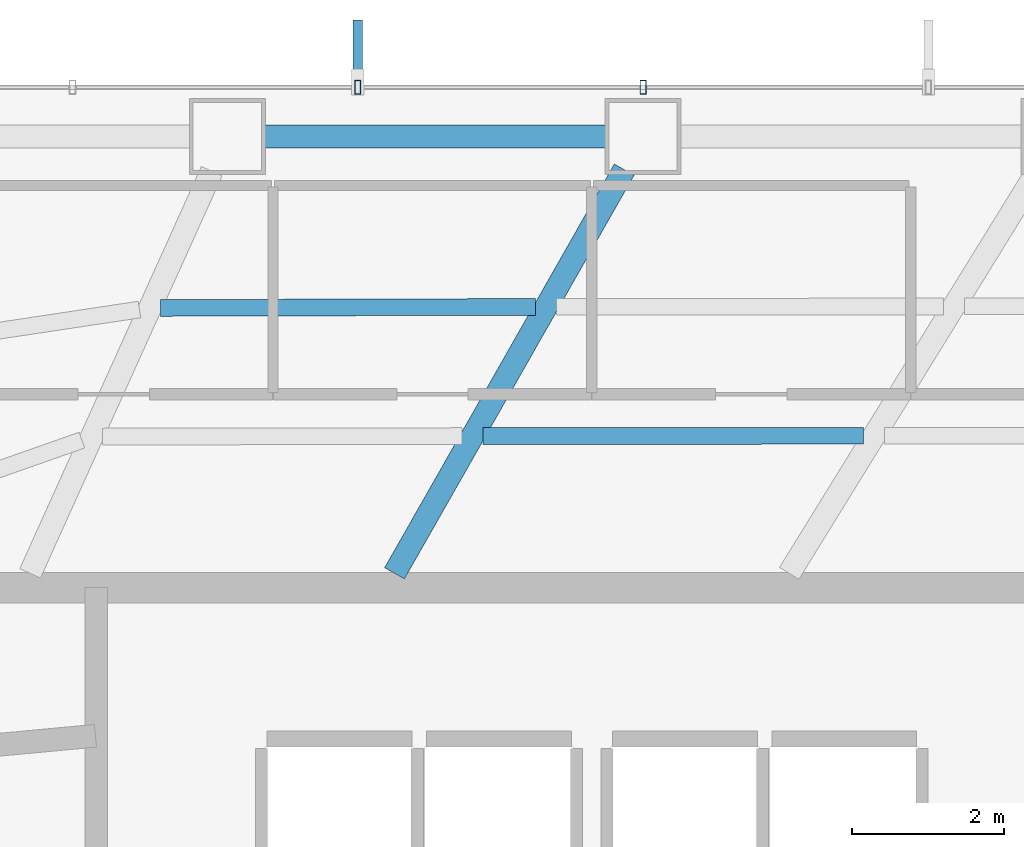
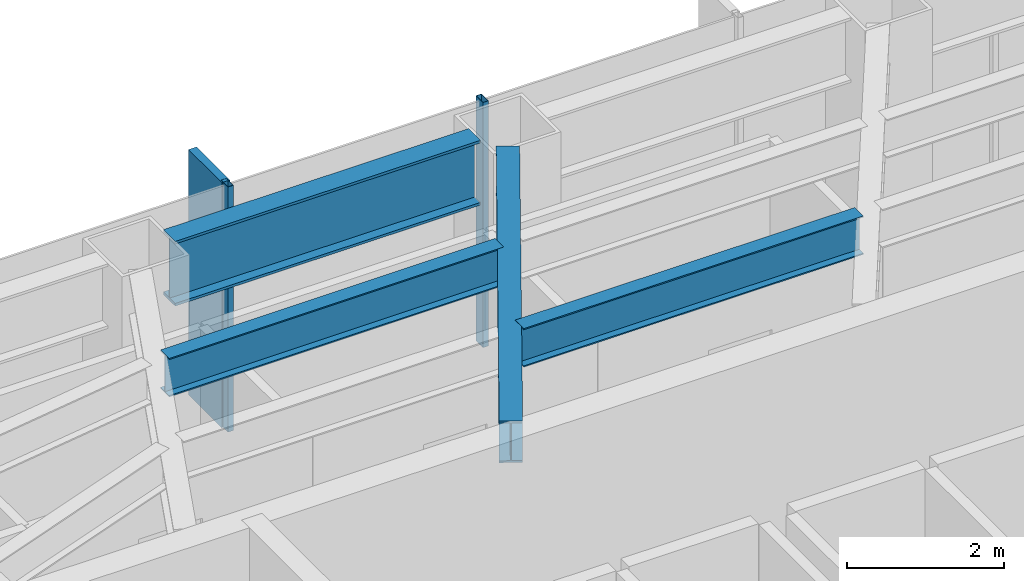
# One storey, part 13 of 25: 4 beams, 3 members, 1 element without a shape of its own.
"""IFC4 building model written with IfcOpenShell, lengths in metres."""

from ifc_helpers import new_model, si_unit, direction, frame, origin, origin_2d, place, context, subcontext, project, spatial, rectangle, hollow_rectangle, i_section, extrude, material, layer, layer_set, material_profile, profile_set, type_object, element, aggregate, save


model = new_model("IFC4")

# Units and contexts
model_context = context("Model", 3, precision=1e-05, world=origin(), true_north=direction((0.0, 1.0)))
body_context = subcontext(model_context, "Body", "Model", "MODEL_VIEW")
ifc_project = project(units=[si_unit("LENGTHUNIT", "METRE"), si_unit("AREAUNIT", "SQUARE_METRE"), si_unit("VOLUMEUNIT", "CUBIC_METRE"), si_unit("PLANEANGLEUNIT", "RADIAN"), si_unit("MASSUNIT", "GRAM", prefix="KILO")], contexts=[model_context])

# Site, building, storey
site_placement = place(None, origin())
site = spatial("IfcSite", under=ifc_project, at=site_placement, CompositionType="ELEMENT")
building_placement = place(site_placement, origin())
building = spatial("IfcBuilding", under=site, at=building_placement, Name="Zarrinselat Tower", CompositionType="ELEMENT")
storey_placement = place(building_placement, frame((0.0, 0.0, 39.780029296875)))
storey = spatial("IfcBuildingStorey", under=building, at=storey_placement, Name="L09", CompositionType="ELEMENT", Elevation=39.780029296875)

# Beams
ifc_material_1 = material(Name="Steel S355J2", Category="steel")
ifc_material_profile_1 = material_profile(ifc_material_1, i_section(OverallWidth=0.300048828125, OverallDepth=0.64990234375, WebThickness=0.01611328125, FlangeThickness=0.031005859375, at=origin_2d()), Name="HEB 650")
ifc_profile_set_1 = profile_set([ifc_material_profile_1], Name="Steel S355J2")
beam_type_1 = type_object("IfcBeamType", Name="BM-HEB650", PredefinedType="BEAM", material=ifc_profile_set_1)
beam_1_placement = place(storey_placement, frame((35.800048828125, 43.639892578125, 3.494873046875), z_axis=(0.494531005412, 0.869159987969, 0.0), x_axis=(-0.869159987969, 0.494531005412, 0.0)))
element("IfcBeam", 1, at=beam_1_placement, inside=storey, type_object=beam_type_1, Name="L09 Radial Primary Girder RG03", PredefinedType="BEAM", context=body_context, shape_type="SweptSolid", body=[
    extrude(i_section(OverallWidth=0.300048828125, OverallDepth=0.64990234375, WebThickness=0.01611328125, FlangeThickness=0.031005859375, at=origin_2d()), origin(), (0.0, 0.0, 1.0), 6.11865234375),
])
ifc_material_2 = material(Name="Steel S460M", Category="steel")
ifc_material_profile_2 = material_profile(ifc_material_2, i_section(OverallWidth=0.302001953125, OverallDepth=1.008056640625, WebThickness=0.02099609375, FlangeThickness=0.0400390625, at=origin_2d()), Name="HEM 1000")
ifc_profile_set_2 = profile_set([ifc_material_profile_2], Name="Steel S460M")
beam_type_2 = type_object("IfcBeamType", Name="BM-HEM1000", PredefinedType="BEAM", material=ifc_profile_set_2)
beam_2_placement = place(storey_placement, frame((34.086181640625, 49.394287109375, 3.31591796875), z_axis=(1.0, 0.0, 0.0), x_axis=(0.0, 1.0, 0.0)))
element("IfcBeam", 2, at=beam_2_placement, inside=storey, type_object=beam_type_2, Name="L09 Perimeter Spandrel Girder SP03", PredefinedType="BEAM", context=body_context, shape_type="SweptSolid", body=[
    extrude(i_section(OverallWidth=0.302001953125, OverallDepth=1.008056640625, WebThickness=0.02099609375, FlangeThickness=0.0400390625, at=origin_2d()), origin(), (0.0, 0.0, 1.0), 4.5),
])
ifc_material_3 = material(Name="Steel S355J2", Category="steel")
ifc_material_profile_3 = material_profile(ifc_material_3, i_section(OverallWidth=0.219970703125, OverallDepth=0.60009765625, WebThickness=0.011962890625, FlangeThickness=0.01904296875, at=origin_2d()), Name="IPE 600")
ifc_profile_set_3 = profile_set([ifc_material_profile_3], Name="Steel S355J2")
beam_type_3 = type_object("IfcBeamType", Name="BM-IPE600", PredefinedType="JOIST", material=ifc_profile_set_3)
beam_3_placement = place(storey_placement, frame((36.96875, 45.4482421875, 3.52001953125), z_axis=(0.999999828941, 0.000584909239, 0.0), x_axis=(-0.000584909239, 0.999999828941, 0.0)))
element("IfcBeam", 3, at=beam_3_placement, inside=storey, type_object=beam_type_3, Name="L09 Composite Floor Joist 8-2", PredefinedType="JOIST", context=body_context, shape_type="SweptSolid", body=[
    extrude(i_section(OverallWidth=0.219970703125, OverallDepth=0.60009765625, WebThickness=0.011962890625, FlangeThickness=0.01904296875, at=origin_2d()), origin(), (0.0, 0.0, 1.0), 5.0087890625),
])
beam_4_placement = place(storey_placement, frame((32.718505859375, 47.13623046875, 3.52001953125), z_axis=(0.999996303531, 0.002718993311, 0.0), x_axis=(-0.002718993311, 0.999996303531, 0.0)))
element("IfcBeam", 4, at=beam_4_placement, inside=storey, type_object=beam_type_3, Name="L09 Composite Floor Joist 9-1", PredefinedType="JOIST", context=body_context, shape_type="SweptSolid", body=[
    extrude(i_section(OverallWidth=0.219970703125, OverallDepth=0.60009765625, WebThickness=0.011962890625, FlangeThickness=0.01904296875, at=origin_2d()), origin(), (0.0, 0.0, 1.0), 4.9384765625),
])

# Curtain wall, members
ifc_material_4 = material(Name="Extruded Aluminium Alloy EN AW-6063 T6", Category="aluminium")
ifc_layer = layer(ifc_material_4, 0.18505859375)
ifc_layer_set = layer_set([ifc_layer], Name="Extruded Aluminium Alloy EN AW-6063 T6")
curtain_wall_type = type_object("IfcCurtainWallType", Name="CWS-OFF", PredefinedType="NOTDEFINED", material=ifc_layer_set)
curtain_wall_placement = place(storey_placement, origin())
curtain_wall = element("IfcCurtainWall", 5, at=curtain_wall_placement, inside=storey, type_object=curtain_wall_type, Name="L09 Unitised Curtain Wall CW-L09-E01", PredefinedType="NOTDEFINED")
ifc_material_5 = material(Name="Extruded Aluminium Alloy EN AW-6063 T6", Category="aluminium")
ifc_material_profile_4 = material_profile(ifc_material_5, hollow_rectangle(XDim=0.080078125, YDim=0.179931640625, WallThickness=0.0048828125, at=origin_2d()), Name="RHS 180x80x5")
ifc_profile_set_4 = profile_set([ifc_material_profile_4], Name="Extruded Aluminium Alloy EN AW-6063 T6")
member_type_1 = type_object("IfcMemberType", Name="MEM-CW-MUL", PredefinedType="MULLION", material=ifc_profile_set_4)
member_1_placement = place(storey_placement, frame((39.07421875, 50.04443359375, 0.0), z_axis=(0.0, 0.0, 1.0), x_axis=(-1.0, 0.0, 0.0)))
member_1 = element("IfcMember", 6, at=member_1_placement, type_object=member_type_1, Name="CW-L09-E01 Mullion 4", PredefinedType="MULLION", context=body_context, shape_type="SweptSolid", body=[
    extrude(hollow_rectangle(XDim=0.080078125, YDim=0.179931640625, WallThickness=0.0048828125, at=origin_2d()), origin(), (0.0, 0.0, 1.0), 3.820068359375),
])
member_2_placement = place(storey_placement, frame((35.31591796875, 50.04443359375, 0.0), z_axis=(0.0, 0.0, 1.0), x_axis=(-1.0, 0.0, 0.0)))
member_2 = element("IfcMember", 7, at=member_2_placement, type_object=member_type_1, Name="CW-L09-E01 Mullion 5", PredefinedType="MULLION", context=body_context, shape_type="SweptSolid", body=[
    extrude(hollow_rectangle(XDim=0.080078125, YDim=0.179931640625, WallThickness=0.0048828125, at=origin_2d()), origin(), (0.0, 0.0, 1.0), 3.820068359375),
])
ifc_material_6 = material(Name="Honed Cream Travertine Stone", Category="masonry")
ifc_material_profile_5 = material_profile(ifc_material_6, rectangle(XDim=0.1201171875, YDim=0.85009765625, at=origin_2d()), Name="FIN 850x120")
ifc_profile_set_5 = profile_set([ifc_material_profile_5], Name="Honed Cream Travertine Stone")
member_type_2 = type_object("IfcMemberType", Name="MEM-STONE-FIN", PredefinedType="USERDEFINED", material=ifc_profile_set_5)
member_3_placement = place(storey_placement, frame((35.31591796875, 50.50439453125, 0.0), z_axis=(0.0, 0.0, 1.0), x_axis=(1.0, 0.0, 0.0)))
member_3 = element("IfcMember", 8, at=member_3_placement, type_object=member_type_2, Name="L09 Stone Shading Fin CW-L09-E01-05", ObjectType="FIN", PredefinedType="USERDEFINED", context=body_context, shape_type="SweptSolid", body=[
    extrude(rectangle(XDim=0.1201171875, YDim=0.85009765625, at=origin_2d()), origin(), (0.0, 0.0, 1.0), 3.820068359375),
])
aggregate(curtain_wall, [member_1, member_2, member_3])

save(model, "model.ifc")
